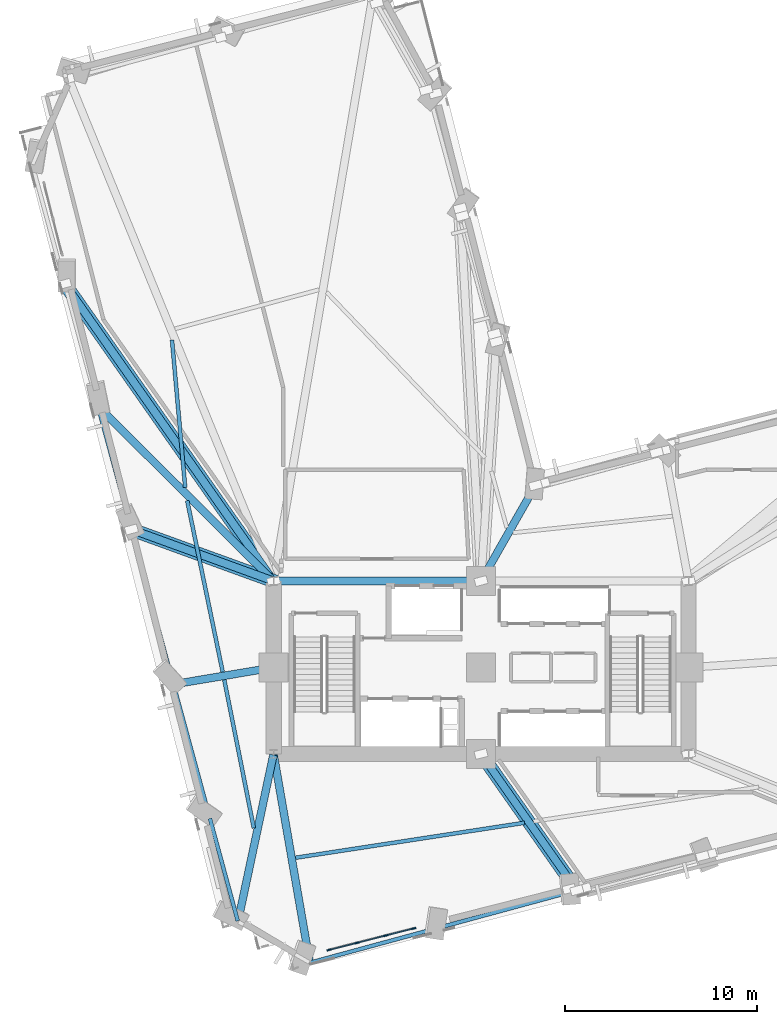
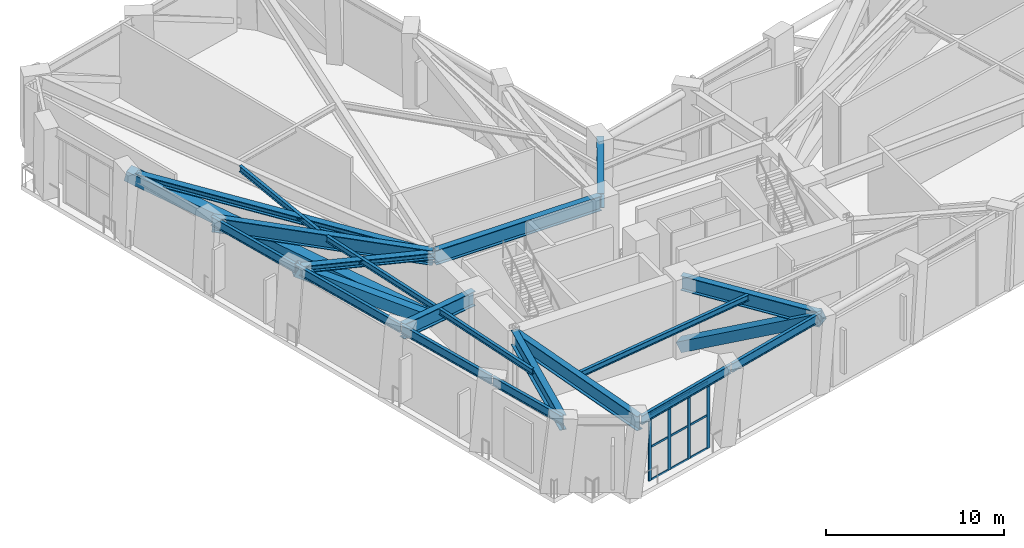
# One storey, part 3 of 17: 18 members, 17 beams, 1 element without a shape of its own.
"""IFC4 building model written with IfcOpenShell, lengths in metres."""

from ifc_helpers import new_model, si_unit, direction, frame, origin, origin_2d, place, context, subcontext, project, spatial, rectangle, hollow_rectangle, i_section, extrude, material, material_profile, profile_set, type_object, element, aggregate, save


model = new_model("IFC4")

# Units and contexts
model_context = context("Model", 3, precision=1e-05, world=origin(), true_north=direction((0.0, 1.0)))
body_context = subcontext(model_context, "Body", "Model", "MODEL_VIEW")
ifc_project = project(units=[si_unit("LENGTHUNIT", "METRE"), si_unit("AREAUNIT", "SQUARE_METRE"), si_unit("VOLUMEUNIT", "CUBIC_METRE"), si_unit("PLANEANGLEUNIT", "RADIAN"), si_unit("MASSUNIT", "GRAM", prefix="KILO")], contexts=[model_context])

# Site, building, storey
site_placement = place(None, origin())
site = spatial("IfcSite", under=ifc_project, at=site_placement, CompositionType="ELEMENT")
building_placement = place(site_placement, origin())
building = spatial("IfcBuilding", under=site, at=building_placement, Name="Gaonmaruhae Medical Tower", CompositionType="ELEMENT")
storey_placement = place(building_placement, frame((0.0, 0.0, 83.0)))
storey = spatial("IfcBuildingStorey", under=building, at=storey_placement, Name="L19", CompositionType="ELEMENT", Elevation=83.0)

# Beams
ifc_material_1 = material(Name="Steel SM420", Category="steel")
ifc_material_profile_1 = material_profile(ifc_material_1, i_section(OverallWidth=0.39990234375, OverallDepth=1.0, WebThickness=0.02197265625, FlangeThickness=0.035888671875, at=origin_2d()), Name="BH-1000x400x22x36")
ifc_profile_set_1 = profile_set([ifc_material_profile_1], Name="Steel SM420")
beam_type_1 = type_object("IfcBeamType", Name="BG-02 Refuge Floor Primary Girder (BH-1000x400x22x36)", PredefinedType="BEAM", material=ifc_profile_set_1)
beam_1_placement = place(storey_placement, frame((14.050048828125, 16.800048828125, 4.679931640625), z_axis=(1.0, 0.0, 0.0), x_axis=(0.0, 1.0, 0.0)))
element("IfcBeam", 1, at=beam_1_placement, inside=storey, type_object=beam_type_1, Name="L19 Beam BM-L19-CG-N1", PredefinedType="BEAM", context=body_context, shape_type="SweptSolid", body=[
    extrude(i_section(OverallWidth=0.39990234375, OverallDepth=1.0, WebThickness=0.02197265625, FlangeThickness=0.035888671875, at=origin_2d()), origin(), (0.0, 0.0, 1.0), 10.699951171875),
])
beam_2_placement = place(storey_placement, frame((14.008544921875, 7.750732421875, 4.679931640625), z_axis=(0.171073496002, -0.985258270184, 0.0), x_axis=(0.985258270184, 0.171073496002, 0.0)))
element("IfcBeam", 2, at=beam_2_placement, inside=storey, type_object=beam_type_1, Name="L19 Radial Primary Girder S01", PredefinedType="BEAM", context=body_context, shape_type="SweptSolid", body=[
    extrude(i_section(OverallWidth=0.39990234375, OverallDepth=1.0, WebThickness=0.02197265625, FlangeThickness=0.035888671875, at=origin_2d()), origin(), (0.0, 0.0, 1.0), 10.931640625),
])
beam_3_placement = place(storey_placement, frame((24.828857421875, 7.759033203125, 4.679931640625), z_axis=(0.574857366276, -0.818253633318, 0.0), x_axis=(0.818253633318, 0.574857366276, 0.0)))
element("IfcBeam", 3, at=beam_3_placement, inside=storey, type_object=beam_type_1, Name="L19 Radial Primary Girder S03", PredefinedType="BEAM", context=body_context, shape_type="SweptSolid", body=[
    extrude(i_section(OverallWidth=0.39990234375, OverallDepth=1.0, WebThickness=0.02197265625, FlangeThickness=0.035888671875, at=origin_2d()), origin(), (0.0, 0.0, 1.0), 8.569091796875),
])
beam_4_placement = place(storey_placement, frame((24.82470703125, 16.843505859375, 4.679931640625), z_axis=(0.494503348201, 0.869175723671, 0.0), x_axis=(-0.869175723671, 0.494503348201, 0.0)))
element("IfcBeam", 4, at=beam_4_placement, inside=storey, type_object=beam_type_1, Name="L19 Radial Primary Girder KN01", PredefinedType="BEAM", context=body_context, shape_type="SweptSolid", body=[
    extrude(i_section(OverallWidth=0.39990234375, OverallDepth=1.0, WebThickness=0.02197265625, FlangeThickness=0.035888671875, at=origin_2d()), origin(), (0.0, 0.0, 1.0), 5.629150390625),
])
beam_5_placement = place(storey_placement, frame((13.964599609375, 16.835205078125, 4.679931640625), z_axis=(-0.708754409313, 0.705455304948, 0.0), x_axis=(-0.705455304948, -0.708754409313, 0.0)))
element("IfcBeam", 5, at=beam_5_placement, inside=storey, type_object=beam_type_1, Name="L19 Radial Primary Girder W03", PredefinedType="BEAM", context=body_context, shape_type="SweptSolid", body=[
    extrude(i_section(OverallWidth=0.39990234375, OverallDepth=1.0, WebThickness=0.02197265625, FlangeThickness=0.035888671875, at=origin_2d()), origin(), (0.0, 0.0, 1.0), 12.80224609375),
])
beam_6_placement = place(storey_placement, frame((13.95068359375, 12.291748046875, 4.679931640625), z_axis=(-0.986252282964, -0.165246586493, 0.0), x_axis=(0.165246586493, -0.986252282964, 0.0)))
element("IfcBeam", 6, at=beam_6_placement, inside=storey, type_object=beam_type_1, Name="L19 Radial Primary Girder W05", PredefinedType="BEAM", context=body_context, shape_type="SweptSolid", body=[
    extrude(i_section(OverallWidth=0.39990234375, OverallDepth=1.0, WebThickness=0.02197265625, FlangeThickness=0.035888671875, at=origin_2d()), origin(), (0.0, 0.0, 1.0), 5.184326171875),
])
beam_7_placement = place(storey_placement, frame((13.989501953125, 7.7509765625, 4.679931640625), z_axis=(-0.208009046065, -0.978126902173, 0.0), x_axis=(0.978126902173, -0.208009046065, 0.0)))
element("IfcBeam", 7, at=beam_7_placement, inside=storey, type_object=beam_type_1, Name="L19 Radial Primary Girder W07", PredefinedType="BEAM", context=body_context, shape_type="SweptSolid", body=[
    extrude(i_section(OverallWidth=0.39990234375, OverallDepth=1.0, WebThickness=0.02197265625, FlangeThickness=0.035888671875, at=origin_2d()), origin(), (0.0, 0.0, 1.0), 8.8203125),
])

# Curtain wall, members
ifc_material_2 = material(Name="Anodised aluminium and Low-E double glazing", Category="aluminium")
curtain_wall_type = type_object("IfcCurtainWallType", Name="CW-S2 Express Sky Lobby Feature Curtain Wall", PredefinedType="NOTDEFINED", material=ifc_material_2)
curtain_wall_placement = place(storey_placement, origin())
curtain_wall = element("IfcCurtainWall", 8, at=curtain_wall_placement, inside=storey, type_object=curtain_wall_type, Name="L19 Curtain Wall CW-L19-S01", PredefinedType="NOTDEFINED")
ifc_material_3 = material(Name="Anodised aluminium 6063-T6", Category="aluminium")
ifc_material_profile_2 = material_profile(ifc_material_3, rectangle(XDim=0.074951171875, YDim=0.219970703125, at=origin_2d()), Name="CWM-75x220")
ifc_profile_set_2 = profile_set([ifc_material_profile_2], Name="Anodised aluminium 6063-T6")
member_type_1 = type_object("IfcMemberType", Name="CWM-1 Heavy Atrium Curtain Wall Mullion (CWM-75x220)", PredefinedType="MULLION", material=ifc_profile_set_2)
member_1_placement = place(storey_placement, frame((21.29931640625, -1.2802734375, 0.0), z_axis=(0.0, 0.0, 1.0), x_axis=(0.246159646843, -0.969229296021, 0.0)))
member_1 = element("IfcMember", 9, at=member_1_placement, type_object=member_type_1, Name="CW-S2 mullion 1", PredefinedType="MULLION", context=body_context, shape_type="SweptSolid", body=[
    extrude(rectangle(XDim=0.074951171875, YDim=0.219970703125, at=origin_2d()), origin(), (0.0, 0.0, 1.0), 4.56494140625),
])
member_2_placement = place(storey_placement, frame((19.8408203125, -1.65087890625, 0.0), z_axis=(0.0, 0.0, 1.0), x_axis=(0.246159646843, -0.969229296021, 0.0)))
member_2 = element("IfcMember", 10, at=member_2_placement, type_object=member_type_1, Name="CW-S2 mullion 2", PredefinedType="MULLION", context=body_context, shape_type="SweptSolid", body=[
    extrude(rectangle(XDim=0.074951171875, YDim=0.219970703125, at=origin_2d()), origin(), (0.0, 0.0, 1.0), 4.56494140625),
])
member_3_placement = place(storey_placement, frame((18.345703125, -2.030517578125, 0.0), z_axis=(0.0, 0.0, 1.0), x_axis=(0.246159646843, -0.969229296021, 0.0)))
member_3 = element("IfcMember", 11, at=member_3_placement, type_object=member_type_1, Name="CW-S2 mullion 3", PredefinedType="MULLION", context=body_context, shape_type="SweptSolid", body=[
    extrude(rectangle(XDim=0.074951171875, YDim=0.219970703125, at=origin_2d()), origin(), (0.0, 0.0, 1.0), 4.56494140625),
])
member_4_placement = place(storey_placement, frame((16.88720703125, -2.40087890625, 0.0), z_axis=(0.0, 0.0, 1.0), x_axis=(0.246159646843, -0.969229296021, 0.0)))
member_4 = element("IfcMember", 12, at=member_4_placement, type_object=member_type_1, Name="CW-S2 mullion 4", PredefinedType="MULLION", context=body_context, shape_type="SweptSolid", body=[
    extrude(rectangle(XDim=0.074951171875, YDim=0.219970703125, at=origin_2d()), origin(), (0.0, 0.0, 1.0), 4.56494140625),
])
ifc_material_profile_3 = material_profile(ifc_material_3, rectangle(XDim=0.06494140625, YDim=0.139892578125, at=origin_2d()), Name="CWT-65x140")
ifc_profile_set_3 = profile_set([ifc_material_profile_3], Name="Anodised aluminium 6063-T6")
member_type_2 = type_object("IfcMemberType", Name="CWT-2 Tower Feature Curtain Wall Transom (CWT-65x140)", PredefinedType="USERDEFINED", material=ifc_profile_set_3)
member_5_placement = place(storey_placement, frame((21.262939453125, -1.28955078125, 0.032470703125), z_axis=(-0.969221716971, -0.246189486678, 0.0), x_axis=(0.246189486678, -0.969221716971, 0.0)))
member_5 = element("IfcMember", 13, at=member_5_placement, type_object=member_type_2, Name="CW-S2 transom 1.1", ObjectType="TRANSOM", PredefinedType="USERDEFINED", context=body_context, shape_type="SweptSolid", body=[
    extrude(rectangle(XDim=0.06494140625, YDim=0.139892578125, at=origin_2d()), origin(), (0.0, 0.0, 1.0), 1.429931640625),
])
member_6_placement = place(storey_placement, frame((21.262939453125, -1.28955078125, 2.282470703125), z_axis=(-0.969221716971, -0.246189486678, 0.0), x_axis=(0.246189486678, -0.969221716971, 0.0)))
member_6 = element("IfcMember", 14, at=member_6_placement, type_object=member_type_2, Name="CW-S2 transom 1.2", ObjectType="TRANSOM", PredefinedType="USERDEFINED", context=body_context, shape_type="SweptSolid", body=[
    extrude(rectangle(XDim=0.06494140625, YDim=0.139892578125, at=origin_2d()), origin(), (0.0, 0.0, 1.0), 1.429931640625),
])
member_7_placement = place(storey_placement, frame((21.262939453125, -1.28955078125, 4.532470703125), z_axis=(-0.969221716971, -0.246189486678, 0.0), x_axis=(0.246189486678, -0.969221716971, 0.0)))
member_7 = element("IfcMember", 15, at=member_7_placement, type_object=member_type_2, Name="CW-S2 transom 1.3", ObjectType="TRANSOM", PredefinedType="USERDEFINED", context=body_context, shape_type="SweptSolid", body=[
    extrude(rectangle(XDim=0.06494140625, YDim=0.139892578125, at=origin_2d()), origin(), (0.0, 0.0, 1.0), 1.429931640625),
])
member_8_placement = place(storey_placement, frame((19.804443359375, -1.659912109375, 0.032470703125), z_axis=(-0.96921564731, -0.246213381054, 0.0), x_axis=(0.246213381054, -0.96921564731, 0.0)))
member_8 = element("IfcMember", 16, at=member_8_placement, type_object=member_type_2, Name="CW-S2 transom 2.1", ObjectType="TRANSOM", PredefinedType="USERDEFINED", context=body_context, shape_type="SweptSolid", body=[
    extrude(rectangle(XDim=0.06494140625, YDim=0.139892578125, at=origin_2d()), origin(), (0.0, 0.0, 1.0), 1.467529296875),
])
member_9_placement = place(storey_placement, frame((19.804443359375, -1.659912109375, 2.282470703125), z_axis=(-0.96921564731, -0.246213381054, 0.0), x_axis=(0.246213381054, -0.96921564731, 0.0)))
member_9 = element("IfcMember", 17, at=member_9_placement, type_object=member_type_2, Name="CW-S2 transom 2.2", ObjectType="TRANSOM", PredefinedType="USERDEFINED", context=body_context, shape_type="SweptSolid", body=[
    extrude(rectangle(XDim=0.06494140625, YDim=0.139892578125, at=origin_2d()), origin(), (0.0, 0.0, 1.0), 1.467529296875),
])
member_10_placement = place(storey_placement, frame((19.804443359375, -1.659912109375, 4.532470703125), z_axis=(-0.96921564731, -0.246213381054, 0.0), x_axis=(0.246213381054, -0.96921564731, 0.0)))
member_10 = element("IfcMember", 18, at=member_10_placement, type_object=member_type_2, Name="CW-S2 transom 2.3", ObjectType="TRANSOM", PredefinedType="USERDEFINED", context=body_context, shape_type="SweptSolid", body=[
    extrude(rectangle(XDim=0.06494140625, YDim=0.139892578125, at=origin_2d()), origin(), (0.0, 0.0, 1.0), 1.467529296875),
])
member_11_placement = place(storey_placement, frame((18.3095703125, -2.03955078125, 0.032470703125), z_axis=(-0.969221716971, -0.246189486678, 0.0), x_axis=(0.246189486678, -0.969221716971, 0.0)))
member_11 = element("IfcMember", 19, at=member_11_placement, type_object=member_type_2, Name="CW-S2 transom 3.1", ObjectType="TRANSOM", PredefinedType="USERDEFINED", context=body_context, shape_type="SweptSolid", body=[
    extrude(rectangle(XDim=0.06494140625, YDim=0.139892578125, at=origin_2d()), origin(), (0.0, 0.0, 1.0), 1.429931640625),
])
member_12_placement = place(storey_placement, frame((18.3095703125, -2.03955078125, 2.282470703125), z_axis=(-0.969221716971, -0.246189486678, 0.0), x_axis=(0.246189486678, -0.969221716971, 0.0)))
member_12 = element("IfcMember", 20, at=member_12_placement, type_object=member_type_2, Name="CW-S2 transom 3.2", ObjectType="TRANSOM", PredefinedType="USERDEFINED", context=body_context, shape_type="SweptSolid", body=[
    extrude(rectangle(XDim=0.06494140625, YDim=0.139892578125, at=origin_2d()), origin(), (0.0, 0.0, 1.0), 1.429931640625),
])
member_13_placement = place(storey_placement, frame((18.3095703125, -2.03955078125, 4.532470703125), z_axis=(-0.969221716971, -0.246189486678, 0.0), x_axis=(0.246189486678, -0.969221716971, 0.0)))
member_13 = element("IfcMember", 21, at=member_13_placement, type_object=member_type_2, Name="CW-S2 transom 3.3", ObjectType="TRANSOM", PredefinedType="USERDEFINED", context=body_context, shape_type="SweptSolid", body=[
    extrude(rectangle(XDim=0.06494140625, YDim=0.139892578125, at=origin_2d()), origin(), (0.0, 0.0, 1.0), 1.429931640625),
])
aggregate(curtain_wall, [member_1, member_2, member_3, member_4, member_5, member_6, member_7, member_8, member_9, member_10, member_11, member_12, member_13])

# Beams
ifc_material_4 = material(Name="Steel SM355", Category="steel")
ifc_material_profile_4 = material_profile(ifc_material_4, i_section(OverallWidth=0.199951171875, OverallDepth=0.39990234375, WebThickness=0.008056640625, FlangeThickness=0.012939453125, FilletRadius=0.012939453125, at=origin_2d()), Name="H-400x200x8x13")
ifc_profile_set_4 = profile_set([ifc_material_profile_4], Name="Steel SM355")
beam_type_2 = type_object("IfcBeamType", Name="FJ-01 Lower Zone Ward Floor Joist (H-400x200x8x13)", PredefinedType="JOIST", material=ifc_profile_set_4)
beam_8_placement = place(storey_placement, frame((15.147216796875, 2.396728515625, 4.97998046875), z_axis=(0.988517786836, 0.151104550258, 0.0), x_axis=(-0.151104550258, 0.988517786836, 0.0)))
element("IfcBeam", 22, at=beam_8_placement, inside=storey, type_object=beam_type_2, Name="L19 Secondary Floor Joist FJ01", PredefinedType="JOIST", context=body_context, shape_type="SweptSolid", body=[
    extrude(i_section(OverallWidth=0.199951171875, OverallDepth=0.39990234375, WebThickness=0.008056640625, FlangeThickness=0.012939453125, FilletRadius=0.012939453125, at=origin_2d()), origin(), (0.0, 0.0, 1.0), 12.056396484375),
])
beam_9_placement = place(storey_placement, frame((8.713623046875, 29.344482421875, 4.97998046875), z_axis=(0.088967848698, -0.996034498347, 0.0), x_axis=(0.996034498347, 0.088967848698, 0.0)))
element("IfcBeam", 23, at=beam_9_placement, inside=storey, type_object=beam_type_2, Name="L19 Secondary Floor Joist FJ10", PredefinedType="JOIST", context=body_context, shape_type="SweptSolid", body=[
    extrude(i_section(OverallWidth=0.199951171875, OverallDepth=0.39990234375, WebThickness=0.008056640625, FlangeThickness=0.012939453125, FilletRadius=0.012939453125, at=origin_2d()), origin(), (0.0, 0.0, 1.0), 7.708251953125),
])
beam_10_placement = place(storey_placement, frame((9.502685546875, 20.989501953125, 4.97998046875), z_axis=(0.202942192277, -0.979190720235, 0.0), x_axis=(0.979190720235, 0.202942192277, 0.0)))
element("IfcBeam", 24, at=beam_10_placement, inside=storey, type_object=beam_type_2, Name="L19 Secondary Floor Joist FJ11", PredefinedType="JOIST", context=body_context, shape_type="SweptSolid", body=[
    extrude(i_section(OverallWidth=0.199951171875, OverallDepth=0.39990234375, WebThickness=0.008056640625, FlangeThickness=0.012939453125, FilletRadius=0.012939453125, at=origin_2d()), origin(), (0.0, 0.0, 1.0), 9.114013671875),
])
beam_11_placement = place(storey_placement, frame((11.434326171875, 11.661376953125, 4.97998046875), z_axis=(0.195322967243, -0.980738975705, 0.0), x_axis=(0.980738975705, 0.195322967243, 0.0)))
element("IfcBeam", 25, at=beam_11_placement, inside=storey, type_object=beam_type_2, Name="L19 Secondary Floor Joist FJ12", PredefinedType="JOIST", context=body_context, shape_type="SweptSolid", body=[
    extrude(i_section(OverallWidth=0.199951171875, OverallDepth=0.39990234375, WebThickness=0.008056640625, FlangeThickness=0.012939453125, FilletRadius=0.012939453125, at=origin_2d()), origin(), (0.0, 0.0, 1.0), 7.873291015625),
])

# Members
ifc_material_5 = material(Name="Steel HSA650 (650 MPa)", Category="steel")
ifc_material_profile_5 = material_profile(ifc_material_5, i_section(OverallWidth=0.4169921875, OverallDepth=0.4580078125, WebThickness=0.030029296875, FlangeThickness=0.050048828125, FilletRadius=0.02197265625, at=origin_2d()), Name="H-458x417x30x50")
ifc_profile_set_5 = profile_set([ifc_material_profile_5], Name="Steel HSA650 (650 MPa)")
member_type_3 = type_object("IfcMemberType", Name="OT-C1 Outrigger Truss Chord (H-458x417x30x50)", PredefinedType="CHORD", material=ifc_profile_set_5)
member_14_placement = place(storey_placement, frame((14.0, 16.800048828125, 4.830078125), z_axis=(-0.575064169266, 0.818108306538, 0.0), x_axis=(-0.818108306538, -0.575064169266, 0.0)))
element("IfcMember", 26, at=member_14_placement, inside=storey, type_object=member_type_3, Name="L19 Outrigger Truss Chord OTC07", PredefinedType="CHORD", context=body_context, shape_type="SweptSolid", body=[
    extrude(i_section(OverallWidth=0.4169921875, OverallDepth=0.4580078125, WebThickness=0.030029296875, FlangeThickness=0.050048828125, FilletRadius=0.02197265625, at=origin_2d()), origin(), (0.0, 0.0, 1.0), 18.910888671875),
])
member_15_placement = place(storey_placement, frame((14.0, 16.800048828125, 4.830078125), z_axis=(-0.940064755044, 0.34099597699, 0.0), x_axis=(-0.34099597699, -0.940064755044, 0.0)))
element("IfcMember", 27, at=member_15_placement, inside=storey, type_object=member_type_3, Name="L19 Outrigger Truss Chord OTC08", PredefinedType="CHORD", context=body_context, shape_type="SweptSolid", body=[
    extrude(i_section(OverallWidth=0.4169921875, OverallDepth=0.4580078125, WebThickness=0.030029296875, FlangeThickness=0.050048828125, FilletRadius=0.02197265625, at=origin_2d()), origin(), (0.0, 0.0, 1.0), 7.872802734375),
])
ifc_material_profile_6 = material_profile(ifc_material_5, hollow_rectangle(XDim=0.699951171875, YDim=0.699951171875, WallThickness=0.031982421875, at=origin_2d()), Name="RHS-700x700x32")
ifc_profile_set_6 = profile_set([ifc_material_profile_6], Name="Steel HSA650 (650 MPa)")
member_type_4 = type_object("IfcMemberType", Name="OT-D1 Outrigger Truss Diagonal Lower (RHS-700x700x32)", PredefinedType="BRACE", material=ifc_profile_set_6)
member_16_placement = place(storey_placement, frame((24.800048828125, 7.800048828125, 0.35009765625), z_axis=(0.510688707189, -0.726928296462, 0.459099440374), x_axis=(0.818258289575, 0.574850738489, 0.0)))
element("IfcMember", 28, at=member_16_placement, inside=storey, type_object=member_type_4, Name="L19 Outrigger Truss Diagonal OTD01", PredefinedType="BRACE", context=body_context, shape_type="SweptSolid", body=[
    extrude(hollow_rectangle(XDim=0.699951171875, YDim=0.699951171875, WallThickness=0.031982421875, at=origin_2d()), origin(), (0.0, 0.0, 1.0), 9.75830078125),
])
member_17_placement = place(storey_placement, frame((14.0, 16.800048828125, 0.35009765625), z_axis=(-0.559576470882, 0.796074913788, 0.230518773363), x_axis=(-0.818108306538, -0.575064169266, 0.0)))
element("IfcMember", 29, at=member_17_placement, inside=storey, type_object=member_type_4, Name="L19 Outrigger Truss Diagonal OTD07", PredefinedType="BRACE", context=body_context, shape_type="SweptSolid", body=[
    extrude(hollow_rectangle(XDim=0.699951171875, YDim=0.699951171875, WallThickness=0.031982421875, at=origin_2d()), origin(), (0.0, 0.0, 1.0), 19.434326171875),
])
member_18_placement = place(storey_placement, frame((14.0, 16.800048828125, 0.35009765625), z_axis=(-0.817040538369, 0.296370579927, 0.4945798601), x_axis=(-0.34099597699, -0.940064755044, 0.0)))
element("IfcMember", 30, at=member_18_placement, inside=storey, type_object=member_type_4, Name="L19 Outrigger Truss Diagonal OTD08", PredefinedType="BRACE", context=body_context, shape_type="SweptSolid", body=[
    extrude(hollow_rectangle(XDim=0.699951171875, YDim=0.699951171875, WallThickness=0.031982421875, at=origin_2d()), origin(), (0.0, 0.0, 1.0), 9.05810546875),
])

# Beams
ifc_material_profile_7 = material_profile(ifc_material_4, i_section(OverallWidth=0.199951171875, OverallDepth=0.60009765625, WebThickness=0.010986328125, FlangeThickness=0.01708984375, FilletRadius=0.012939453125, at=origin_2d()), Name="H-600x200x11x17")
ifc_profile_set_7 = profile_set([ifc_material_profile_7], Name="Steel SM355")
beam_type_3 = type_object("IfcBeamType", Name="SP-01 Lower Perimeter Spandrel Beam (H-600x200x11x17)", PredefinedType="SPANDREL", material=ifc_profile_set_7)
for number, where, z_axis, x_axis, name in (
    (31, (15.926025390625, -3.05859375, 4.8798828125), (0.965010281166, 0.262212046337, 0.0), (-0.262212046337, 0.965010281166, 0.0), "L19 Perimeter Spandrel Beam S01-S02"),
    (32, (22.8740234375, -1.1708984375, 4.8798828125), (0.965010281166, 0.262212046337, 0.0), (-0.262212046337, 0.965010281166, 0.0), "L19 Perimeter Spandrel Beam S02-S03"),
):
    element("IfcBeam", number, at=place(storey_placement, frame(where, z_axis=z_axis, x_axis=x_axis)), inside=storey, type_object=beam_type_3, Name=name, PredefinedType="SPANDREL", context=body_context, shape_type="SweptSolid", body=[
        extrude(i_section(OverallWidth=0.199951171875, OverallDepth=0.60009765625, WebThickness=0.010986328125, FlangeThickness=0.01708984375, FilletRadius=0.012939453125, at=origin_2d()), origin(), (0.0, 0.0, 1.0), 7.119873046875),
    ])
beam_12_placement = place(storey_placement, frame((4.865966796875, 25.863525390625, 4.8798828125), z_axis=(0.262192887013, -0.965015486922, 0.0), x_axis=(0.965015486922, 0.262192887013, 0.0)))
element("IfcBeam", 33, at=beam_12_placement, inside=storey, type_object=beam_type_3, Name="L19 Perimeter Spandrel Beam W03-W04", PredefinedType="SPANDREL", context=body_context, shape_type="SweptSolid", body=[
    extrude(i_section(OverallWidth=0.199951171875, OverallDepth=0.60009765625, WebThickness=0.010986328125, FlangeThickness=0.01708984375, FilletRadius=0.012939453125, at=origin_2d()), origin(), (0.0, 0.0, 1.0), 6.570068359375),
])
beam_13_placement = place(storey_placement, frame((6.609619140625, 19.446044921875, 4.8798828125), z_axis=(0.262178051789, -0.965019517502, 0.0), x_axis=(0.965019517502, 0.262178051789, 0.0)))
element("IfcBeam", 34, at=beam_13_placement, inside=storey, type_object=beam_type_3, Name="L19 Perimeter Spandrel Beam W04-W05", PredefinedType="SPANDREL", context=body_context, shape_type="SweptSolid", body=[
    extrude(i_section(OverallWidth=0.199951171875, OverallDepth=0.60009765625, WebThickness=0.010986328125, FlangeThickness=0.01708984375, FilletRadius=0.012939453125, at=origin_2d()), origin(), (0.0, 0.0, 1.0), 8.27001953125),
])
beam_14_placement = place(storey_placement, frame((8.798828125, 11.38818359375, 4.8798828125), z_axis=(0.262180113958, -0.965018957247, 0.0), x_axis=(0.965018957247, 0.262180113958, 0.0)))
element("IfcBeam", 35, at=beam_14_placement, inside=storey, type_object=beam_type_3, Name="L19 Perimeter Spandrel Beam W05-W06", PredefinedType="SPANDREL", context=body_context, shape_type="SweptSolid", body=[
    extrude(i_section(OverallWidth=0.199951171875, OverallDepth=0.60009765625, WebThickness=0.010986328125, FlangeThickness=0.01708984375, FilletRadius=0.012939453125, at=origin_2d()), origin(), (0.0, 0.0, 1.0), 7.119873046875),
])
beam_15_placement = place(storey_placement, frame((10.6865234375, 4.440185546875, 4.8798828125), z_axis=(0.262185426568, -0.96501751388, 0.0), x_axis=(0.96501751388, 0.262185426568, 0.0)))
element("IfcBeam", 36, at=beam_15_placement, inside=storey, type_object=beam_type_3, Name="L19 Perimeter Spandrel Beam W06-W07", PredefinedType="SPANDREL", context=body_context, shape_type="SweptSolid", body=[
    extrude(i_section(OverallWidth=0.199951171875, OverallDepth=0.60009765625, WebThickness=0.010986328125, FlangeThickness=0.01708984375, FilletRadius=0.012939453125, at=origin_2d()), origin(), (0.0, 0.0, 1.0), 5.52001953125),
])

save(model, "model.ifc")
